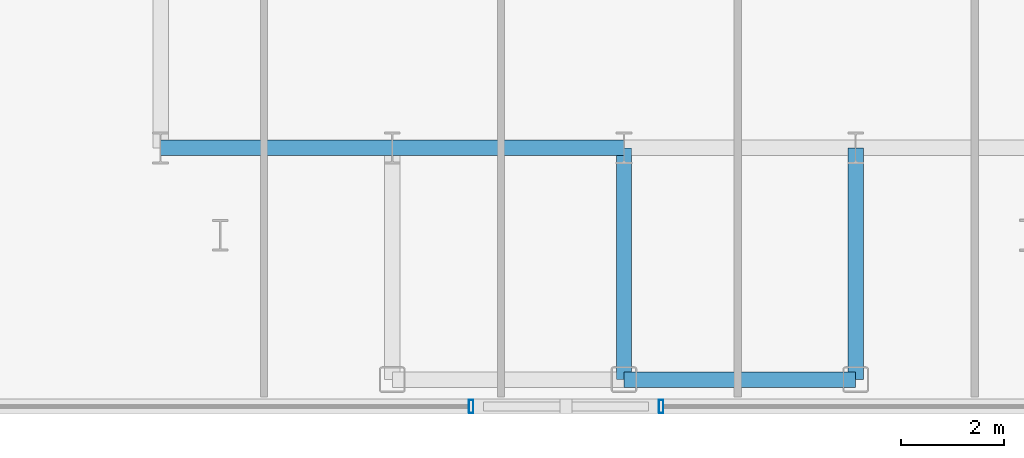
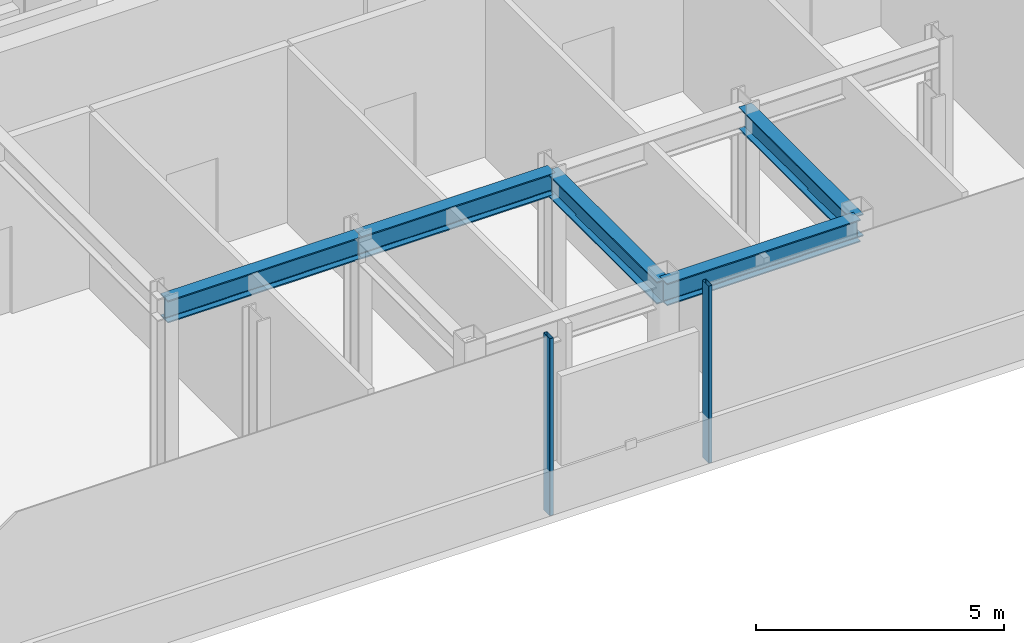
# One storey, part 4 of 18: 5 beams, 2 members, 2 elements without a shape of their own.
"""IFC4 building model written with IfcOpenShell, lengths in metres."""

import ifcopenshell
import ifcopenshell.guid

model = None  # the IFC model being written
_history = None  # IfcOwnerHistory: only IFC2X3 demands one
_inside = {}  # id of a spatial element -> (the spatial element, [elements in it])
_under = {}  # id of a project, library or spatial element -> (it, [spatial elements below it])
_declared = {}  # id of a project -> (the project, [libraries it declares])
_typed = {}  # id of a type object -> (the type object, [elements of that type])
_made_of = {}  # id of a material, layer set ... -> (it, [elements and type objects made of it])


def new_model(schema):
    """Start an empty IFC model of exactly this schema.

    Asked for "IFC4X3", IfcOpenShell would pick the latest addendum, in which some entities
    have other attributes; the version numbers below select the first issue.
    IFC2X3 requires an IfcOwnerHistory on every rooted entity: one is made here for all.
    """
    global model, _history
    if schema == "IFC4X3":
        model = ifcopenshell.file(schema_version=(4, 3, 0, 0))
    else:
        model = ifcopenshell.file(schema=schema)
    _inside.clear()
    _under.clear()
    _declared.clear()
    _typed.clear()
    _made_of.clear()
    _history = None
    if model.schema == "IFC2X3":
        org = make("IfcOrganization", Name="unknown")
        user = make(
            "IfcPersonAndOrganization",
            ThePerson=make("IfcPerson", FamilyName="unknown"),
            TheOrganization=org,
        )
        app = make(
            "IfcApplication",
            ApplicationDeveloper=org,
            Version="unknown",
            ApplicationFullName="unknown",
            ApplicationIdentifier="unknown",
        )
        _history = make(
            "IfcOwnerHistory",
            OwningUser=user,
            OwningApplication=app,
            ChangeAction="ADDED",
            CreationDate=0,
        )
    return model


def make(cls, **values):
    """One entity of the class cls with the attributes given. An attribute that is None is left unset."""
    return model.create_entity(
        cls, **{name: value for name, value in values.items() if value is not None}
    )


def rooted(cls, **values):
    """An entity with a GlobalId (a new one), such as an element, a storey or a relation."""
    return make(cls, GlobalId=ifcopenshell.guid.new(), OwnerHistory=_history, **values)


def si_unit(unit_type, name, prefix=None):
    """IfcSIUnit, for example si_unit("LENGTHUNIT", "METRE", prefix="MILLI")."""
    return make("IfcSIUnit", UnitType=unit_type, Prefix=prefix, Name=name)


def assignment(units):
    """IfcUnitAssignment: the units of a project."""
    return None if units is None else make("IfcUnitAssignment", Units=units)


def point(xyz):
    """IfcCartesianPoint."""
    return None if xyz is None else make("IfcCartesianPoint", Coordinates=xyz)


def direction(xyz):
    """IfcDirection."""
    return None if xyz is None else make("IfcDirection", DirectionRatios=xyz)


def frame(location, z_axis=None, x_axis=None):
    """IfcAxis2Placement3D, a coordinate frame: its origin and axes. An axis left out is left unset."""
    return make(
        "IfcAxis2Placement3D",
        Location=point(location),
        Axis=direction(z_axis),
        RefDirection=direction(x_axis),
    )


def frame_2d(location, x_axis=None):
    """IfcAxis2Placement2D, a coordinate frame in the plane: its origin and x axis."""
    return make(
        "IfcAxis2Placement2D", Location=point(location), RefDirection=direction(x_axis)
    )


def origin():
    """The frame at (0, 0, 0) with its axes left unset."""
    return frame((0.0, 0.0, 0.0))


def origin_2d():
    """The frame at (0, 0) in the plane with its x axis left unset."""
    return frame_2d((0.0, 0.0))


def place(relative_to, where):
    """IfcLocalPlacement: puts the frame where relative to a parent placement (None: the world)."""
    return make(
        "IfcLocalPlacement", PlacementRelTo=relative_to, RelativePlacement=where
    )


def context(
    kind, dimensions, precision=None, world=None, true_north=None, identifier=None
):
    """IfcGeometricRepresentationContext, for example the 3D "Model" context."""
    return make(
        "IfcGeometricRepresentationContext",
        ContextIdentifier=identifier,
        ContextType=kind,
        CoordinateSpaceDimension=dimensions,
        Precision=precision,
        WorldCoordinateSystem=world,
        TrueNorth=true_north,
    )


def subcontext(parent, identifier, kind, view, scale=None):
    """IfcGeometricRepresentationSubContext, for example "Body" below "Model"."""
    return make(
        "IfcGeometricRepresentationSubContext",
        ContextIdentifier=identifier,
        ContextType=kind,
        ParentContext=parent,
        TargetScale=scale,
        TargetView=view,
    )


def project(units=None, contexts=None):
    """IfcProject with its units and contexts."""
    return rooted(
        "IfcProject",
        Name="project",
        RepresentationContexts=contexts,
        UnitsInContext=assignment(units),
    )


def spatial(cls, under=None, at=None, **own):
    """A site, building, storey or space (cls), placed at a placement, below another one or the project."""
    s = rooted(cls, ObjectPlacement=at, **own)
    if under is not None:
        _under.setdefault(under.id(), (under, []))[1].append(s)
    return s


def profile(cls, at=None, kind="AREA", **sizes):
    """A parametric profile (cls). Its sizes go by their IFC names, for example OverallWidth=200.0."""
    return make(cls, ProfileType=kind, Position=at, **sizes)


def hollow_rectangle(**sizes):
    """IfcRectangleHollowProfileDef."""
    return profile("IfcRectangleHollowProfileDef", **sizes)


def i_section(**sizes):
    """IfcIShapeProfileDef."""
    return profile("IfcIShapeProfileDef", **sizes)


def extrude(swept, where, along, depth):
    """IfcExtrudedAreaSolid: the profile swept, set in the frame where, extruded along a direction by depth."""
    return make(
        "IfcExtrudedAreaSolid",
        SweptArea=swept,
        Position=where,
        ExtrudedDirection=direction(along),
        Depth=depth,
    )


def shape(context_of_items, identifier, shape_type, items):
    """IfcShapeRepresentation: the items that make up one representation, for example the "Body"."""
    return make(
        "IfcShapeRepresentation",
        ContextOfItems=context_of_items,
        RepresentationIdentifier=identifier,
        RepresentationType=shape_type,
        Items=items,
    )


def source(mapping_origin, context_of_items, identifier, shape_type, items):
    """IfcRepresentationMap: a shape defined once, which mapped items show again and again."""
    return make(
        "IfcRepresentationMap",
        MappingOrigin=mapping_origin,
        MappedRepresentation=shape(context_of_items, identifier, shape_type, items),
    )


def transform(
    local_origin,
    x_axis=None,
    y_axis=None,
    z_axis=None,
    scale=None,
    scale2=None,
    scale3=None,
    uniform=True,
):
    """IfcCartesianTransformationOperator3D, or its non-uniform kind. x_axis, y_axis, z_axis: its Axis1, 2, 3."""
    if uniform:
        return make(
            "IfcCartesianTransformationOperator3D",
            Axis1=direction(x_axis),
            Axis2=direction(y_axis),
            LocalOrigin=point(local_origin),
            Scale=scale,
            Axis3=direction(z_axis),
        )
    return make(
        "IfcCartesianTransformationOperator3DnonUniform",
        Axis1=direction(x_axis),
        Axis2=direction(y_axis),
        LocalOrigin=point(local_origin),
        Scale=scale,
        Axis3=direction(z_axis),
        Scale2=scale2,
        Scale3=scale3,
    )


def mapped(mapping_source, mapping_target):
    """IfcMappedItem: shows the shape of a source again, moved by a transform."""
    return make(
        "IfcMappedItem", MappingSource=mapping_source, MappingTarget=mapping_target
    )


def material(Name=None, Category=None):
    """IfcMaterial."""
    return make("IfcMaterial", Name=Name, Category=Category)


def layer(
    of_material, thickness, ventilated=None, Name=None, Category=None, Priority=None
):
    """IfcMaterialLayer: one layer of a wall or slab, of a material (None: an air gap)."""
    return make(
        "IfcMaterialLayer",
        Material=of_material,
        LayerThickness=thickness,
        IsVentilated=ventilated,
        Name=Name,
        Category=Category,
        Priority=Priority,
    )


def layer_set(layers, Name=None):
    """IfcMaterialLayerSet."""
    return make("IfcMaterialLayerSet", MaterialLayers=layers, LayerSetName=Name)


def material_profile(
    of_material, cross_section, Name=None, Category=None, Priority=None
):
    """IfcMaterialProfile: a cross section and its material."""
    return make(
        "IfcMaterialProfile",
        Name=Name,
        Material=of_material,
        Profile=cross_section,
        Priority=Priority,
        Category=Category,
    )


def profile_set(profiles, Name=None, composite=None):
    """IfcMaterialProfileSet."""
    return make(
        "IfcMaterialProfileSet",
        Name=Name,
        MaterialProfiles=profiles,
        CompositeProfile=composite,
    )


def made_of(thing, what):
    """Note that an element or type object is made of a material, layer set ...; save() writes the relation."""
    if what is not None:
        _made_of.setdefault(what.id(), (what, []))[1].append(thing)
    return thing


def type_object(cls, material=None, **own):
    """A type object (cls), such as IfcWallType, which elements share."""
    return made_of(rooted(cls, **own), material)


def element(
    cls,
    number,
    at=None,
    inside=None,
    cuts=None,
    type_object=None,
    material=None,
    context=None,
    identifier="Body",
    shape_type=None,
    held_by="IfcProductDefinitionShape",
    body=None,
    shapes=None,
    **own,
):
    """One element of the class cls, such as IfcWall. Its Tag is "e" and its number.

    at: its placement. inside: the storey or other place that contains it. cuts: it is an
    opening in that element (IfcRelVoidsElement). A single representation is given by context,
    identifier, shape_type and body (its items); several are given by shapes. held_by: the class
    of the entity that holds the representations. save() writes the other relations.
    """
    e = rooted(cls, Tag="e%d" % number, ObjectPlacement=at, **own)
    if body is not None:
        shapes = [shape(context, identifier, shape_type, body)]
    if shapes is not None:
        e.Representation = make(held_by, Representations=shapes)
    if inside is not None:
        _inside.setdefault(inside.id(), (inside, []))[1].append(e)
    if cuts is not None:
        rooted(
            "IfcRelVoidsElement", RelatingBuildingElement=cuts, RelatedOpeningElement=e
        )
    if type_object is not None:
        _typed.setdefault(type_object.id(), (type_object, []))[1].append(e)
    return made_of(e, material)


def aggregate(whole, parts):
    """IfcRelAggregates: a whole, such as a stair, and the parts it consists of."""
    return rooted("IfcRelAggregates", RelatingObject=whole, RelatedObjects=parts)


def save(model, path):
    """Write the relations noted so far, then the file.

    IfcRelAggregates (storeys below a building ...), IfcRelContainedInSpatialStructure (elements
    in a storey), IfcRelDefinesByType, IfcRelAssociatesMaterial and IfcRelDeclares: one each for
    every whole, place, type object, material and project.
    """
    for whole, parts in _under.values():
        aggregate(whole, parts)
    for where, things in _inside.values():
        rooted(
            "IfcRelContainedInSpatialStructure",
            RelatedElements=things,
            RelatingStructure=where,
        )
    for kind, things in _typed.values():
        rooted("IfcRelDefinesByType", RelatedObjects=things, RelatingType=kind)
    for what, things in _made_of.values():
        rooted("IfcRelAssociatesMaterial", RelatedObjects=things, RelatingMaterial=what)
    for by, libraries in _declared.values():
        rooted("IfcRelDeclares", RelatingContext=by, RelatedDefinitions=libraries)
    model.write(path)


model = new_model("IFC4")

# Units and contexts
model_context = context("Model", 3, precision=1e-05, world=origin(), true_north=direction((0.0, 1.0)))
body_context = subcontext(model_context, "Body", "Model", "MODEL_VIEW")
ifc_project = project(units=[si_unit("LENGTHUNIT", "METRE"), si_unit("AREAUNIT", "SQUARE_METRE"), si_unit("VOLUMEUNIT", "CUBIC_METRE"), si_unit("PLANEANGLEUNIT", "RADIAN"), si_unit("MASSUNIT", "GRAM", prefix="KILO")], contexts=[model_context])

# Site, building, storey
site_placement = place(None, origin())
site = spatial("IfcSite", under=ifc_project, at=site_placement, CompositionType="ELEMENT")
building_placement = place(site_placement, origin())
building = spatial("IfcBuilding", under=site, at=building_placement, Name="Nefas-Gora Pilgrimage Tower", CompositionType="ELEMENT")
storey_placement = place(building_placement, frame((0.0, 0.0, 317.800048828125)))
storey = spatial("IfcBuildingStorey", under=building, at=storey_placement, Name="L80", CompositionType="ELEMENT", Elevation=317.800048828125)

# Beams
ifc_material_1 = material(Name="Steel S355", Category="steel")
ifc_material_profile_1 = material_profile(ifc_material_1, i_section(OverallWidth=0.300048828125, OverallDepth=0.550048828125, WebThickness=0.014892578125, FlangeThickness=0.029052734375, FilletRadius=0.027099609375, at=origin_2d()), Name="HEB 550")
ifc_profile_set_1 = profile_set([ifc_material_profile_1], Name="Steel S355")
beam_type_1 = type_object("IfcBeamType", Name="BM-SPN-HEB400", PredefinedType="SPANDREL", material=ifc_profile_set_1)
shared_shape_1 = source(origin(), body_context, "Body", "SweptSolid", [
    extrude(i_section(OverallWidth=0.300048828125, OverallDepth=0.550048828125, WebThickness=0.014892578125, FlangeThickness=0.029052734375, FilletRadius=0.027099609375, at=origin_2d()), origin(), (0.0, 0.0, 1.0), 4.5),
])
beam_placement = place(storey_placement, frame((-2.25, -22.5, 4.074951171875), z_axis=(1.0, 0.0, 0.0), x_axis=(0.0, 1.0, 0.0)))
element("IfcBeam", 1, at=beam_placement, inside=storey, type_object=beam_type_1, Name="L80 SP-04 beam", PredefinedType="SPANDREL", context=body_context, shape_type="MappedRepresentation", body=[
    mapped(shared_shape_1, transform((0.0, 0.0, 0.0), x_axis=(1.0, 0.0, 0.0), y_axis=(0.0, 1.0, 0.0), z_axis=(0.0, 0.0, 1.0), scale=1.0)),
])
ifc_material_profile_2 = material_profile(ifc_material_1, i_section(OverallWidth=0.300048828125, OverallDepth=0.550048828125, WebThickness=0.014892578125, FlangeThickness=0.029052734375, FilletRadius=0.027099609375, at=origin_2d()), Name="HEB 550")
ifc_profile_set_2 = profile_set([ifc_material_profile_2], Name="Steel S355")
beam_type_2 = type_object("IfcBeamType", Name="BM-GIR-HEB550", PredefinedType="BEAM", material=ifc_profile_set_2)
shared_shape_2 = source(origin(), body_context, "Body", "SweptSolid", [
    extrude(i_section(OverallWidth=0.300048828125, OverallDepth=0.550048828125, WebThickness=0.014892578125, FlangeThickness=0.029052734375, FilletRadius=0.027099609375, at=origin_2d()), origin(), (0.0, 0.0, 1.0), 4.5),
])
for number, where, z_axis, x_axis, name in (
    (2, (-11.25, -18.0, 4.074951171875), (1.0, 0.0, 0.0), (0.0, 1.0, 0.0), "L80 G-05 beam"),
    (3, (-6.75, -18.0, 4.074951171875), (1.0, 0.0, 0.0), (0.0, 1.0, 0.0), "L80 G-05 beam"),
    (4, (-2.25, -22.5, 4.074951171875), (0.0, 1.0, 0.0), (-1.0, 0.0, 0.0), "L80 G-05 beam"),
    (5, (2.25, -22.5, 4.074951171875), (0.0, 1.0, 0.0), (-1.0, 0.0, 0.0), "L80 G-05 beam"),
):
    element("IfcBeam", number, at=place(storey_placement, frame(where, z_axis=z_axis, x_axis=x_axis)), inside=storey, type_object=beam_type_2, Name=name, PredefinedType="BEAM", context=body_context, shape_type="MappedRepresentation", body=[
        mapped(shared_shape_2, transform((0.0, 0.0, 0.0), x_axis=(1.0, 0.0, 0.0), y_axis=(0.0, 1.0, 0.0), z_axis=(0.0, 0.0, 1.0), scale=1.0)),
    ])

# Curtain wall, member
ifc_material_2 = material(Name="Dark ceramic-fritted solar-control aluminium-glass curtain wall", Category="aluminium")
ifc_layer = layer(ifc_material_2, 0.219970703125)
ifc_layer_set = layer_set([ifc_layer], Name="Dark ceramic-fritted solar-control aluminium-glass curtain wall")
curtain_wall_type = type_object("IfcCurtainWallType", Name="CW-SYS-4", PredefinedType="NOTDEFINED", material=ifc_layer_set)
curtain_wall_1_placement = place(storey_placement, origin())
curtain_wall_1 = element("IfcCurtainWall", 6, at=curtain_wall_1_placement, inside=storey, type_object=curtain_wall_type, Name="L80 Unitised Curtain Wall CW4", PredefinedType="NOTDEFINED")
ifc_material_3 = material(Name="Anodised architectural aluminium", Category="aluminium")
ifc_material_profile_3 = material_profile(ifc_material_3, hollow_rectangle(XDim=0.090087890625, YDim=0.260009765625, WallThickness=0.006103515625, InnerFilletRadius=0.006103515625, OuterFilletRadius=0.011962890625, at=origin_2d()), Name="ALU MULLION 90x260")
ifc_profile_set_3 = profile_set([ifc_material_profile_3], Name="Anodised architectural aluminium")
member_type = type_object("IfcMemberType", Name="CWM-MUL-4", PredefinedType="MULLION", material=ifc_profile_set_3)
shared_shape_3 = source(origin(), body_context, "Body", "SweptSolid", [
    extrude(hollow_rectangle(XDim=0.090087890625, YDim=0.260009765625, WallThickness=0.006103515625, InnerFilletRadius=0.006103515625, OuterFilletRadius=0.011962890625, at=origin_2d()), origin(), (0.0, 0.0, 1.0), 4.349853515625),
])
member_1_placement = place(storey_placement, frame((-5.219970703125, -23.02001953125, 0.0), z_axis=(0.0, 0.0, 1.0), x_axis=(1.0, 0.0, 0.0)))
member_1 = element("IfcMember", 7, at=member_1_placement, type_object=member_type, Name="CW4 Mullion 2", PredefinedType="MULLION", context=body_context, shape_type="MappedRepresentation", body=[
    mapped(shared_shape_3, transform((0.0, 0.0, 0.0), x_axis=(1.0, 0.0, 0.0), y_axis=(0.0, 1.0, 0.0), z_axis=(0.0, 0.0, 1.0), scale=1.0)),
])
aggregate(curtain_wall_1, [member_1])

curtain_wall_2_placement = place(storey_placement, origin())
curtain_wall_2 = element("IfcCurtainWall", 8, at=curtain_wall_2_placement, inside=storey, type_object=curtain_wall_type, Name="L80 Unitised Curtain Wall CW4", PredefinedType="NOTDEFINED")
member_2_placement = place(storey_placement, frame((-1.530029296875, -23.02001953125, 0.0), z_axis=(0.0, 0.0, 1.0), x_axis=(1.0, 0.0, 0.0)))
member_2 = element("IfcMember", 9, at=member_2_placement, type_object=member_type, Name="CW4 Mullion 1", PredefinedType="MULLION", context=body_context, shape_type="MappedRepresentation", body=[
    mapped(shared_shape_3, transform((0.0, 0.0, 0.0), x_axis=(1.0, 0.0, 0.0), y_axis=(0.0, 1.0, 0.0), z_axis=(0.0, 0.0, 1.0), scale=1.0)),
])
aggregate(curtain_wall_2, [member_2])

save(model, "model.ifc")
